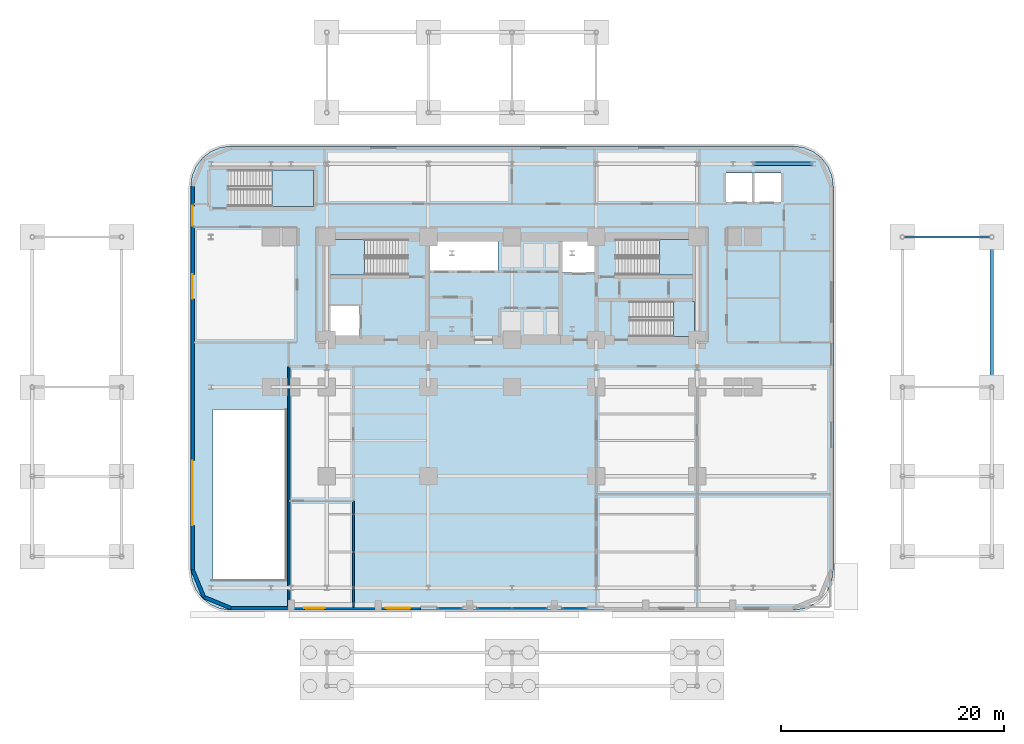
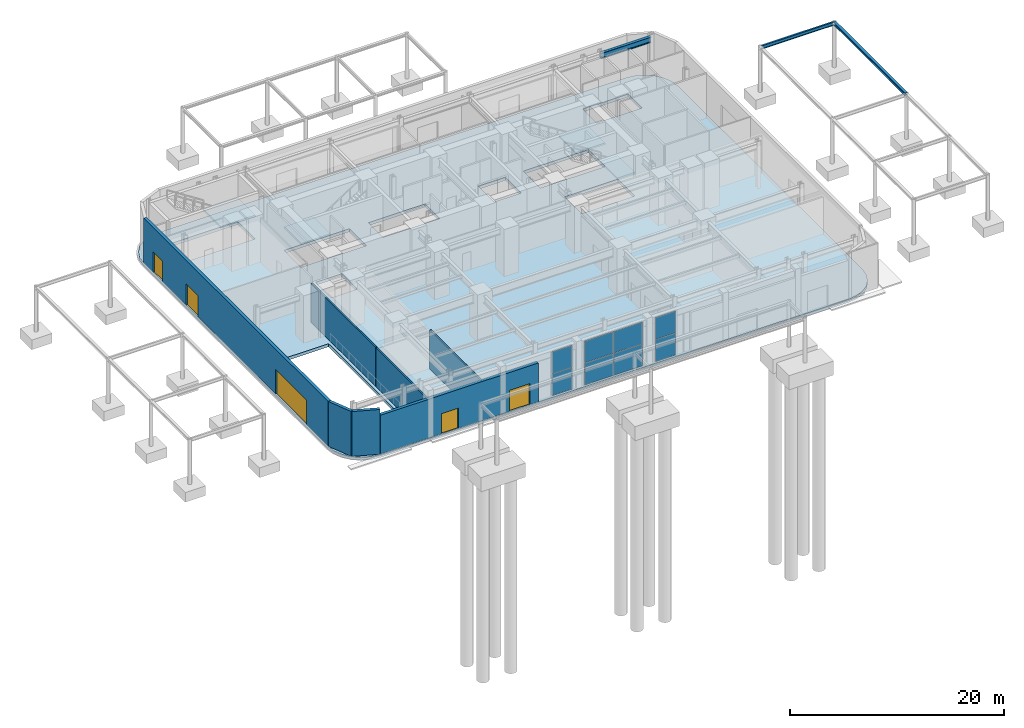
# One storey, part 11 of 21: 8 plates, 7 walls, 5 doors, 5 slabs, 3 beams, 5 openings, 7 elements without a shape of their own.
"""IFC4 building model written with IfcOpenShell, lengths in metres."""

from ifc_helpers import new_model, si_unit, direction, frame, frame_2d, origin, origin_2d, place, context, subcontext, project, spatial, polyline, rectangle, i_section, outline, extrude, material, layer, layer_set, material_profile, profile_set, type_object, element, fill, aggregate, save


model = new_model("IFC4")

# Units and contexts
model_context = context("Model", 3, precision=1e-05, world=origin(), true_north=direction((0.0, 1.0)))
body_context = subcontext(model_context, "Body", "Model", "MODEL_VIEW")
ifc_project = project(units=[si_unit("LENGTHUNIT", "METRE"), si_unit("AREAUNIT", "SQUARE_METRE"), si_unit("VOLUMEUNIT", "CUBIC_METRE"), si_unit("PLANEANGLEUNIT", "RADIAN"), si_unit("MASSUNIT", "GRAM", prefix="KILO")], contexts=[model_context])

# Site, building, storey
site_placement = place(None, origin())
site = spatial("IfcSite", under=ifc_project, at=site_placement, CompositionType="ELEMENT")
building_placement = place(site_placement, origin())
building = spatial("IfcBuilding", under=site, at=building_placement, Name="Zarnavel Station Tower", CompositionType="ELEMENT")
storey_placement = place(building_placement, origin())
storey = spatial("IfcBuildingStorey", under=building, at=storey_placement, Name="L01", CompositionType="ELEMENT", Elevation=0.0)

# Beams
ifc_material_1 = material(Name="Steel S355J2", Category="steel")
ifc_material_profile_1 = material_profile(ifc_material_1, i_section(OverallWidth=0.300048828125, OverallDepth=0.320068359375, WebThickness=0.011474609375, FlangeThickness=0.0205078125, FilletRadius=0.027099609375, at=origin_2d()), Name="HEB320")
ifc_profile_set_1 = profile_set([ifc_material_profile_1], Name="Steel S355J2")
beam_type_1 = type_object("IfcBeamType", Name="EB_HEB320", PredefinedType="SPANDREL", material=ifc_profile_set_1)
beam_1_placement = place(storey_placement, frame((71.800048828125, 23.60009765625, 5.0), z_axis=(0.0, 1.0, 0.0), x_axis=(-1.0, 0.0, 0.0)))
element("IfcBeam", 1, at=beam_1_placement, inside=storey, type_object=beam_type_1, Name="East Forecourt Canopy Girder 2-03", PredefinedType="SPANDREL", context=body_context, shape_type="SweptSolid", body=[
    extrude(i_section(OverallWidth=0.300048828125, OverallDepth=0.320068359375, WebThickness=0.011474609375, FlangeThickness=0.0205078125, FilletRadius=0.027099609375, at=origin_2d()), origin(), (0.0, 0.0, 1.0), 13.449951171875),
])
ifc_material_2 = material(Name="Steel S355J2", Category="steel")
ifc_material_profile_2 = material_profile(ifc_material_2, i_section(OverallWidth=0.179931640625, OverallDepth=0.39990234375, WebThickness=0.008544921875, FlangeThickness=0.013427734375, FilletRadius=0.02099609375, at=origin_2d()), Name="IPE400")
ifc_profile_set_2 = profile_set([ifc_material_profile_2], Name="Steel S355J2")
beam_type_2 = type_object("IfcBeamType", Name="FB_IPE400", PredefinedType="BEAM", material=ifc_profile_set_2)
beam_2_placement = place(storey_placement, frame((63.945068359375, 37.050048828125, 4.9599609375), z_axis=(1.0, 0.0, 0.0), x_axis=(0.0, 1.0, 0.0)))
element("IfcBeam", 2, at=beam_2_placement, inside=storey, type_object=beam_type_2, Name="East Canopy Tie 04", PredefinedType="BEAM", context=body_context, shape_type="SweptSolid", body=[
    extrude(i_section(OverallWidth=0.179931640625, OverallDepth=0.39990234375, WebThickness=0.008544921875, FlangeThickness=0.013427734375, FilletRadius=0.02099609375, at=origin_2d()), origin(), (0.0, 0.0, 1.0), 7.7099609375),
])
ifc_material_3 = material(Name="Steel S355J2", Category="steel")
ifc_material_profile_3 = material_profile(ifc_material_3, i_section(OverallWidth=0.300048828125, OverallDepth=0.64990234375, WebThickness=0.01611328125, FlangeThickness=0.031005859375, FilletRadius=0.027099609375, at=origin_2d()), Name="HEB650")
ifc_profile_set_3 = profile_set([ifc_material_profile_3], Name="Steel S355J2")
beam_type_3 = type_object("IfcBeamType", Name="FG_HEB650", PredefinedType="USERDEFINED", material=ifc_profile_set_3)
beam_3_placement = place(storey_placement, frame((50.39990234375, 43.60009765625, 4.77490234375), z_axis=(1.0, 0.0, 0.0), x_axis=(0.0, 1.0, 0.0)))
element("IfcBeam", 3, at=beam_3_placement, inside=storey, type_object=beam_type_3, Name="L01 EW Frame Girder 3-10", ObjectType="GIRDER", PredefinedType="USERDEFINED", context=body_context, shape_type="SweptSolid", body=[
    extrude(i_section(OverallWidth=0.300048828125, OverallDepth=0.64990234375, WebThickness=0.01611328125, FlangeThickness=0.031005859375, FilletRadius=0.027099609375, at=origin_2d()), origin(), (0.0, 0.0, 1.0), 5.400146484375),
])

# Curtain wall, plates
ifc_material_4 = material(Name="Aluminium Dark Anodised and Solar-Control Glass", Category="aluminium")
ifc_layer_1 = layer(ifc_material_4, 0.179931640625)
ifc_layer_set_1 = layer_set([ifc_layer_1], Name="CWS1")
curtain_wall_type = type_object("IfcCurtainWallType", Name="CWS1", PredefinedType="NOTDEFINED", material=ifc_layer_set_1)
curtain_wall_1_placement = place(storey_placement, origin())
curtain_wall_1 = element("IfcCurtainWall", 4, at=curtain_wall_1_placement, inside=storey, type_object=curtain_wall_type, Name="L01 Curtain Wall CWS1-L01-S-S1", PredefinedType="NOTDEFINED")
ifc_material_5 = material(Name="Double Low-E Dark Solar-Control Glass", Category="glass")
ifc_layer_2 = layer(ifc_material_5, 0.035888671875)
ifc_layer_set_2 = layer_set([ifc_layer_2], Name="CWS1_PNL")
plate_type = type_object("IfcPlateType", Name="CWS1_PNL", PredefinedType="CURTAIN_PANEL", material=ifc_layer_set_2)
plate_1_placement = place(storey_placement, frame((23.22802734375, 3.780029296875, 0.06005859375), z_axis=(0.0, 0.0, 1.0), x_axis=(1.0, 0.0, 0.0)))
plate_1 = element("IfcPlate", 5, at=plate_1_placement, type_object=plate_type, Name="CW1 panel 1.1", PredefinedType="CURTAIN_PANEL", context=body_context, shape_type="SweptSolid", body=[
    extrude(rectangle(XDim=2.135986328125, YDim=0.028076171875, at=origin_2d()), origin(), (0.0, 0.0, 1.0), 2.4599609375),
])
plate_2_placement = place(storey_placement, frame((23.22802734375, 3.780029296875, 2.580078125), z_axis=(0.0, 0.0, 1.0), x_axis=(1.0, 0.0, 0.0)))
plate_2 = element("IfcPlate", 6, at=plate_2_placement, type_object=plate_type, Name="CW1 panel 1.2", PredefinedType="CURTAIN_PANEL", context=body_context, shape_type="SweptSolid", body=[
    extrude(rectangle(XDim=2.135986328125, YDim=0.028076171875, at=origin_2d()), origin(), (0.0, 0.0, 1.0), 2.4599609375),
])
aggregate(curtain_wall_1, [plate_1, plate_2])

curtain_wall_2_placement = place(storey_placement, origin())
curtain_wall_2 = element("IfcCurtainWall", 7, at=curtain_wall_2_placement, inside=storey, type_object=curtain_wall_type, Name="L01 Curtain Wall CWS1-L01-S-S2", PredefinedType="NOTDEFINED")
plate_3_placement = place(storey_placement, frame((27.237060546875, 3.780029296875, 0.06005859375), z_axis=(0.0, 0.0, 1.0), x_axis=(1.0, 0.0, 0.0)))
plate_3 = element("IfcPlate", 8, at=plate_3_placement, type_object=plate_type, Name="CW1 panel 1.1", PredefinedType="CURTAIN_PANEL", context=body_context, shape_type="SweptSolid", body=[
    extrude(rectangle(XDim=3.06591796875, YDim=0.028076171875, at=origin_2d()), origin(), (0.0, 0.0, 1.0), 2.4599609375),
])
plate_4_placement = place(storey_placement, frame((27.237060546875, 3.780029296875, 2.580078125), z_axis=(0.0, 0.0, 1.0), x_axis=(1.0, 0.0, 0.0)))
plate_4 = element("IfcPlate", 9, at=plate_4_placement, type_object=plate_type, Name="CW1 panel 1.2", PredefinedType="CURTAIN_PANEL", context=body_context, shape_type="SweptSolid", body=[
    extrude(rectangle(XDim=3.06591796875, YDim=0.028076171875, at=origin_2d()), origin(), (0.0, 0.0, 1.0), 2.4599609375),
])
plate_5_placement = place(storey_placement, frame((30.363037109375, 3.780029296875, 0.06005859375), z_axis=(0.0, 0.0, 1.0), x_axis=(1.0, 0.0, 0.0)))
plate_5 = element("IfcPlate", 10, at=plate_5_placement, type_object=plate_type, Name="CW1 panel 2.1", PredefinedType="CURTAIN_PANEL", context=body_context, shape_type="SweptSolid", body=[
    extrude(rectangle(XDim=3.06591796875, YDim=0.028076171875, at=origin_2d()), origin(), (0.0, 0.0, 1.0), 2.4599609375),
])
plate_6_placement = place(storey_placement, frame((30.363037109375, 3.780029296875, 2.580078125), z_axis=(0.0, 0.0, 1.0), x_axis=(1.0, 0.0, 0.0)))
plate_6 = element("IfcPlate", 11, at=plate_6_placement, type_object=plate_type, Name="CW1 panel 2.2", PredefinedType="CURTAIN_PANEL", context=body_context, shape_type="SweptSolid", body=[
    extrude(rectangle(XDim=3.06591796875, YDim=0.028076171875, at=origin_2d()), origin(), (0.0, 0.0, 1.0), 2.4599609375),
])
aggregate(curtain_wall_2, [plate_3, plate_4, plate_5, plate_6])

curtain_wall_3_placement = place(storey_placement, origin())
curtain_wall_3 = element("IfcCurtainWall", 12, at=curtain_wall_3_placement, inside=storey, type_object=curtain_wall_type, Name="L01 Curtain Wall CWS1-L01-S-S3", PredefinedType="NOTDEFINED")
plate_7_placement = place(storey_placement, frame((34.39697265625, 3.780029296875, 0.06005859375), z_axis=(0.0, 0.0, 1.0), x_axis=(1.0, 0.0, 0.0)))
plate_7 = element("IfcPlate", 13, at=plate_7_placement, type_object=plate_type, Name="CW1 panel 1.1", PredefinedType="CURTAIN_PANEL", context=body_context, shape_type="SweptSolid", body=[
    extrude(rectangle(XDim=2.18603515625, YDim=0.028076171875, at=origin_2d()), origin(), (0.0, 0.0, 1.0), 2.4599609375),
])
plate_8_placement = place(storey_placement, frame((34.39697265625, 3.780029296875, 2.580078125), z_axis=(0.0, 0.0, 1.0), x_axis=(1.0, 0.0, 0.0)))
plate_8 = element("IfcPlate", 14, at=plate_8_placement, type_object=plate_type, Name="CW1 panel 1.2", PredefinedType="CURTAIN_PANEL", context=body_context, shape_type="SweptSolid", body=[
    extrude(rectangle(XDim=2.18603515625, YDim=0.028076171875, at=origin_2d()), origin(), (0.0, 0.0, 1.0), 2.4599609375),
])
aggregate(curtain_wall_3, [plate_7, plate_8])

# Slab
ifc_material_6 = material(Name="Concrete C45/55", Category="concrete")
ifc_layer_3 = layer(ifc_material_6, 0.35009765625)
ifc_layer_set_3 = layer_set([ifc_layer_3], Name="SL_FLR_350")
slab_type_1 = type_object("IfcSlabType", Name="SL_FLR_350", PredefinedType="FLOOR", material=ifc_layer_set_3)
slab_1_placement = place(storey_placement, frame((0.0, 0.0, -0.35009765625)))
element("IfcSlab", 15, at=slab_1_placement, inside=storey, type_object=slab_type_1, Name="L01 Structural Floor Slab", PredefinedType="FLOOR", context=body_context, shape_type="SweptSolid", body=[
    extrude(outline(polyline([(54.0, 3.60009765625), (54.931640625, 3.72265625), (55.800048828125, 4.082275390625), (56.545654296875, 4.654296875), (57.11767578125, 5.39990234375), (57.477294921875, 6.268310546875), (57.60009765625, 7.199951171875), (57.60009765625, 41.60009765625), (57.477294921875, 42.53173828125), (57.11767578125, 43.39990234375), (56.545654296875, 44.1455078125), (55.800048828125, 44.7177734375), (54.931640625, 45.077392578125), (54.0, 45.199951171875), (3.60009765625, 45.199951171875), (2.668212890625, 45.077392578125), (1.800048828125, 44.7177734375), (1.054443359375, 44.1455078125), (0.482421875, 43.39990234375), (0.122802734375, 42.53173828125), (0.0, 41.60009765625), (0.0, 7.199951171875), (0.122802734375, 6.268310546875), (0.482421875, 5.39990234375), (1.054443359375, 4.654296875), (1.800048828125, 4.082275390625), (2.668212890625, 3.72265625), (3.60009765625, 3.60009765625), (54.0, 3.60009765625)]), holes=[polyline([(12.39990234375, 33.659912109375), (19.409912109375, 33.659912109375), (19.409912109375, 36.820068359375), (12.39990234375, 36.820068359375), (12.39990234375, 33.659912109375)]), polyline([(38.14990234375, 33.659912109375), (45.159912109375, 33.659912109375), (45.159912109375, 36.820068359375), (38.14990234375, 36.820068359375), (38.14990234375, 33.659912109375)]), polyline([(39.419921875, 28.1201171875), (45.14990234375, 28.1201171875), (45.14990234375, 31.280029296875), (39.419921875, 31.280029296875), (39.419921875, 28.1201171875)]), polyline([(3.419921875, 39.800048828125), (11.0, 39.800048828125), (11.0, 43.06005859375), (3.419921875, 43.06005859375), (3.419921875, 39.800048828125)]), polyline([(12.35009765625, 27.949951171875), (15.14990234375, 27.949951171875), (15.14990234375, 30.85009765625), (12.35009765625, 30.85009765625), (12.35009765625, 27.949951171875)]), polyline([(33.320068359375, 33.85009765625), (36.2099609375, 33.85009765625), (36.2099609375, 36.780029296875), (33.320068359375, 36.780029296875), (33.320068359375, 33.85009765625)]), polyline([(21.449951171875, 34.050048828125), (27.550048828125, 34.050048828125), (27.550048828125, 36.780029296875), (21.449951171875, 36.780029296875), (21.449951171875, 34.050048828125)]), polyline([(48.0, 40.199951171875), (52.89990234375, 40.199951171875), (52.89990234375, 42.800048828125), (48.0, 42.800048828125), (48.0, 40.199951171875)]), polyline([(2.0, 6.39990234375), (8.39990234375, 6.39990234375), (8.39990234375, 21.60009765625), (2.0, 21.60009765625), (2.0, 6.39990234375)])]), origin(), (0.0, 0.0, 1.0), 0.35009765625),
])

# Stair, slab
ifc_material_7 = material(Name="Concrete C45/55", Category="concrete")
stair_type_1 = type_object("IfcStairType", Name="ST_CORE_150", PredefinedType="HALF_TURN_STAIR", material=ifc_material_7)
stair_1_placement = place(storey_placement, origin())
stair_1 = element("IfcStair", 16, at=stair_1_placement, inside=storey, type_object=stair_type_1, Name="L01 Core Exit Stair ST1", PredefinedType="HALF_TURN_STAIR")
ifc_material_8 = material(Name="Concrete C45/55", Category="concrete")
ifc_layer_4 = layer(ifc_material_8, 0.199951171875)
ifc_layer_set_4 = layer_set([ifc_layer_4], Name="SL_STAIR_LAND_200")
slab_type_2 = type_object("IfcSlabType", Name="SL_STAIR_LAND_200", PredefinedType="LANDING", material=ifc_layer_set_4)
slab_2_placement = place(storey_placement, frame((0.0, 0.0, 2.5)))
slab_2 = element("IfcSlab", 17, at=slab_2_placement, type_object=slab_type_2, Name="ST1 landing 1", PredefinedType="LANDING", context=body_context, shape_type="SweptSolid", body=[
    extrude(outline(polyline([(15.56005859375, 36.820068359375), (12.39990234375, 36.820068359375), (12.39990234375, 33.659912109375), (15.56005859375, 33.659912109375), (15.56005859375, 36.820068359375)])), origin(), (0.0, 0.0, 1.0), 0.199951171875),
])
aggregate(stair_1, [slab_2])

stair_2_placement = place(storey_placement, origin())
stair_2 = element("IfcStair", 18, at=stair_2_placement, inside=storey, type_object=stair_type_1, Name="L01 Core Exit Stair ST2", PredefinedType="HALF_TURN_STAIR")
slab_3_placement = place(storey_placement, frame((0.0, 0.0, 2.5)))
slab_3 = element("IfcSlab", 19, at=slab_3_placement, type_object=slab_type_2, Name="ST2 landing 1", PredefinedType="LANDING", context=body_context, shape_type="SweptSolid", body=[
    extrude(outline(polyline([(42.0, 33.659912109375), (45.159912109375, 33.659912109375), (45.159912109375, 36.820068359375), (42.0, 36.820068359375), (42.0, 33.659912109375)])), origin(), (0.0, 0.0, 1.0), 0.199951171875),
])
aggregate(stair_2, [slab_3])

stair_3_placement = place(storey_placement, origin())
stair_3 = element("IfcStair", 20, at=stair_3_placement, inside=storey, type_object=stair_type_1, Name="L01 Core Exit Stair ST3", PredefinedType="HALF_TURN_STAIR")
slab_4_placement = place(storey_placement, frame((0.0, 0.0, 2.5)))
slab_4 = element("IfcSlab", 21, at=slab_4_placement, type_object=slab_type_2, Name="ST3 landing 1", PredefinedType="LANDING", context=body_context, shape_type="SweptSolid", body=[
    extrude(outline(polyline([(43.27001953125, 28.1201171875), (45.14990234375, 28.1201171875), (45.14990234375, 31.280029296875), (43.27001953125, 31.280029296875), (43.27001953125, 28.1201171875)])), origin(), (0.0, 0.0, 1.0), 0.199951171875),
])
aggregate(stair_3, [slab_4])

ifc_material_9 = material(Name="Concrete C45/55", Category="concrete")
stair_type_2 = type_object("IfcStairType", Name="ST_POD_155", PredefinedType="HALF_TURN_STAIR", material=ifc_material_9)
stair_4_placement = place(storey_placement, origin())
stair_4 = element("IfcStair", 22, at=stair_4_placement, inside=storey, type_object=stair_type_2, Name="L01 Core Exit Stair ST4", PredefinedType="HALF_TURN_STAIR")
slab_5_placement = place(storey_placement, frame((0.0, 0.0, 2.5)))
slab_5 = element("IfcSlab", 23, at=slab_5_placement, type_object=slab_type_2, Name="ST4 landing 1", PredefinedType="LANDING", context=body_context, shape_type="SweptSolid", body=[
    extrude(outline(polyline([(7.27001953125, 39.800048828125), (11.0, 39.800048828125), (11.0, 43.06005859375), (7.27001953125, 43.06005859375), (7.27001953125, 39.800048828125)])), origin(), (0.0, 0.0, 1.0), 0.199951171875),
])
aggregate(stair_4, [slab_5])

# Wall, openings, doors
ifc_material_10 = material(Name="Precast concrete C45/55 (Podium Basalt Frame)", Category="masonry")
ifc_layer_5 = layer(ifc_material_10, 0.320068359375)
ifc_layer_set_5 = layer_set([ifc_layer_5], Name="EW_BASALT_320")
wall_type_1 = type_object("IfcWallType", Name="EW_BASALT_320", PredefinedType="SOLIDWALL", material=ifc_layer_set_5)
wall_1_placement = place(storey_placement, frame((0.179931640625, 7.199951171875, 0.0), z_axis=(0.0, 0.0, 1.0), x_axis=(0.0, 1.0, 0.0)))
wall_1 = element("IfcWall", 24, at=wall_1_placement, inside=storey, type_object=wall_type_1, Name="L01 Exterior Basalt Masonry Frame Wall 09", PredefinedType="SOLIDWALL", context=body_context, shape_type="SweptSolid", body=[
    extrude(rectangle(XDim=34.400146484375, YDim=0.320068359375, at=frame_2d((17.2001953125, 0.0))), origin(), (0.0, 0.0, 1.0), 5.10009765625),
])
opening_1_placement = place(wall_1_placement, frame((4.0, 0.0, 0.0)))
opening_1 = element("IfcOpeningElement", 25, at=opening_1_placement, cuts=wall_1, Name="Opening VD01", PredefinedType="OPENING", context=body_context, shape_type="SweptSolid", body=[
    extrude(rectangle(XDim=5.800048828125, YDim=2.800048828125, at=frame_2d((2.89990234375, 1.39990234375))), frame((0.0, 0.169921875, 0.0), z_axis=(0.0, -1.0, 0.0), x_axis=(1.0, 0.0, 0.0)), (0.0, 0.0, 1.0), 0.340087890625),
])
opening_2_placement = place(wall_1_placement, frame((30.85009765625, 0.0, 0.0)))
opening_2 = element("IfcOpeningElement", 26, at=opening_2_placement, cuts=wall_1, Name="Opening ED02", PredefinedType="OPENING", context=body_context, shape_type="SweptSolid", body=[
    extrude(rectangle(XDim=1.800048828125, YDim=2.300048828125, at=frame_2d((0.89990234375, 1.14990234375))), frame((0.0, 0.169921875, 0.0), z_axis=(0.0, -1.0, 0.0), x_axis=(1.0, 0.0, 0.0)), (0.0, 0.0, 1.0), 0.340087890625),
])
opening_3_placement = place(wall_1_placement, frame((24.300048828125, 0.0, 0.0)))
opening_3 = element("IfcOpeningElement", 27, at=opening_3_placement, cuts=wall_1, Name="Opening ED01", PredefinedType="OPENING", context=body_context, shape_type="SweptSolid", body=[
    extrude(rectangle(XDim=2.199951171875, YDim=2.39990234375, at=frame_2d((1.10009765625, 1.199951171875))), frame((0.0, 0.169921875, 0.0), z_axis=(0.0, -1.0, 0.0), x_axis=(1.0, 0.0, 0.0)), (0.0, 0.0, 1.0), 0.340087890625),
])
ifc_material_11 = material(Name="Thermally Broken Black Aluminium and Laminated Safety Glass", Category="aluminium")
door_type_1 = type_object("IfcDoorType", Name="ED_EXIT_2200", OperationType="DOUBLE_DOOR_SINGLE_SWING", PredefinedType="DOOR", material=ifc_material_11)
door_1_placement = place(opening_3_placement, origin())
door_1 = element("IfcDoor", 28, at=door_1_placement, inside=storey, type_object=door_type_1, Name="L01 West Gallery Entrance Door", OperationType="SINGLE_SWING_LEFT", OverallHeight=2.39990234375, OverallWidth=2.199951171875, PredefinedType="DOOR", context=body_context, shape_type="SweptSolid", body=[
    extrude(rectangle(XDim=2.199951171875, YDim=2.39990234375, at=frame_2d((1.10009765625, 1.199951171875))), frame((0.0, 0.02490234375, 0.0), z_axis=(0.0, -1.0, 0.0), x_axis=(1.0, 0.0, 0.0)), (0.0, 0.0, 1.0), 0.050048828125),
])
fill(opening_3, door_1)
ifc_material_12 = material(Name="Thermally Broken Black Aluminium and Laminated Safety Glass", Category="aluminium")
door_type_2 = type_object("IfcDoorType", Name="ED_SHOP_1800", OperationType="DOUBLE_DOOR_SINGLE_SWING", PredefinedType="DOOR", material=ifc_material_12)
door_2_placement = place(opening_2_placement, origin())
door_2 = element("IfcDoor", 29, at=door_2_placement, inside=storey, type_object=door_type_2, Name="L01 West Protected Corridor Final Exit Door", OperationType="SINGLE_SWING_LEFT", OverallHeight=2.300048828125, OverallWidth=1.800048828125, PredefinedType="DOOR", context=body_context, shape_type="SweptSolid", body=[
    extrude(rectangle(XDim=1.800048828125, YDim=2.300048828125, at=frame_2d((0.89990234375, 1.14990234375))), frame((0.0, 0.02490234375, 0.0), z_axis=(0.0, -1.0, 0.0), x_axis=(1.0, 0.0, 0.0)), (0.0, 0.0, 1.0), 0.050048828125),
])
fill(opening_2, door_2)
ifc_material_13 = material(Name="Thermally Broken Black Aluminium and Laminated Safety Glass", Category="aluminium")
door_type_3 = type_object("IfcDoorType", Name="VD_RAMP_5800", OperationType="ROLLINGUP", PredefinedType="GATE", material=ifc_material_13)
door_3_placement = place(opening_1_placement, origin())
door_3 = element("IfcDoor", 30, at=door_3_placement, inside=storey, type_object=door_type_3, Name="L01 Basement Car-Park Ramp Roller Gate", OperationType="ROLLINGUP", OverallHeight=2.800048828125, OverallWidth=5.800048828125, PredefinedType="GATE", context=body_context, shape_type="SweptSolid", body=[
    extrude(rectangle(XDim=5.800048828125, YDim=2.800048828125, at=frame_2d((2.89990234375, 1.39990234375))), frame((0.0, 0.02490234375, 0.0), z_axis=(0.0, -1.0, 0.0), x_axis=(1.0, 0.0, 0.0)), (0.0, 0.0, 1.0), 0.050048828125),
])
fill(opening_1, door_3)

# Walls
wall_2_placement = place(storey_placement, frame((1.181640625, 4.78173828125, 0.0), z_axis=(0.0, 0.0, 1.0), x_axis=(-0.382700522567, 0.923872453333, 0.0)))
element("IfcWall", 31, at=wall_2_placement, inside=storey, type_object=wall_type_1, Name="L01 Exterior Basalt Masonry Frame Wall 10", PredefinedType="SOLIDWALL", context=body_context, shape_type="SweptSolid", body=[
    extrude(rectangle(XDim=2.617431640625, YDim=0.320068359375, at=frame_2d((1.30859375, 0.0))), origin(), (0.0, 0.0, 1.0), 5.10009765625),
])
wall_3_placement = place(storey_placement, frame((3.60009765625, 3.780029296875, 0.0), z_axis=(0.0, 0.0, 1.0), x_axis=(-0.923886112352, 0.382667546838, 0.0)))
element("IfcWall", 32, at=wall_3_placement, inside=storey, type_object=wall_type_1, Name="L01 Exterior Basalt Masonry Frame Wall 11", PredefinedType="SOLIDWALL", context=body_context, shape_type="SweptSolid", body=[
    extrude(rectangle(XDim=2.61767578125, YDim=0.320068359375, at=frame_2d((1.308837890625, 0.0))), origin(), (0.0, 0.0, 1.0), 5.10009765625),
])

# Wall, openings, doors
wall_4_placement = place(storey_placement, frame((20.60009765625, 3.780029296875, 0.0), z_axis=(0.0, 0.0, 1.0), x_axis=(-1.0, 0.0, 0.0)))
wall_4 = element("IfcWall", 33, at=wall_4_placement, inside=storey, type_object=wall_type_1, Name="L01 South West Masonry Facade Wall", PredefinedType="SOLIDWALL", context=body_context, shape_type="SweptSolid", body=[
    extrude(rectangle(XDim=17.0, YDim=0.320068359375, at=frame_2d((8.5, 0.0))), origin(), (0.0, 0.0, 1.0), 4.429931640625),
])
opening_4_placement = place(wall_4_placement, frame((0.89990234375, 0.0, 0.0)))
opening_4 = element("IfcOpeningElement", 34, at=opening_4_placement, cuts=wall_4, Name="Opening ED01", PredefinedType="OPENING", context=body_context, shape_type="SweptSolid", body=[
    extrude(rectangle(XDim=2.199951171875, YDim=2.39990234375, at=frame_2d((1.10009765625, 1.199951171875))), frame((0.0, 0.169921875, 0.0), z_axis=(0.0, -1.0, 0.0), x_axis=(1.0, 0.0, 0.0)), (0.0, 0.0, 1.0), 0.340087890625),
])
opening_5_placement = place(wall_4_placement, frame((8.60009765625, 0.0, 0.0)))
opening_5 = element("IfcOpeningElement", 35, at=opening_5_placement, cuts=wall_4, Name="Opening ED02", PredefinedType="OPENING", context=body_context, shape_type="SweptSolid", body=[
    extrude(rectangle(XDim=1.800048828125, YDim=2.300048828125, at=frame_2d((0.89990234375, 1.14990234375))), frame((0.0, 0.169921875, 0.0), z_axis=(0.0, -1.0, 0.0), x_axis=(1.0, 0.0, 0.0)), (0.0, 0.0, 1.0), 0.340087890625),
])
door_4_placement = place(opening_4_placement, origin())
door_4 = element("IfcDoor", 36, at=door_4_placement, inside=storey, type_object=door_type_1, Name="L01 South Station Exit Door 1", OperationType="SINGLE_SWING_LEFT", OverallHeight=2.39990234375, OverallWidth=2.199951171875, PredefinedType="DOOR", context=body_context, shape_type="SweptSolid", body=[
    extrude(rectangle(XDim=2.199951171875, YDim=2.39990234375, at=frame_2d((1.10009765625, 1.199951171875))), frame((0.0, 0.02490234375, 0.0), z_axis=(0.0, -1.0, 0.0), x_axis=(1.0, 0.0, 0.0)), (0.0, 0.0, 1.0), 0.050048828125),
])
fill(opening_4, door_4)
door_5_placement = place(opening_5_placement, origin())
door_5 = element("IfcDoor", 37, at=door_5_placement, inside=storey, type_object=door_type_2, Name="L01 South Retail Street Entrance", OperationType="SINGLE_SWING_LEFT", OverallHeight=2.300048828125, OverallWidth=1.800048828125, PredefinedType="DOOR", context=body_context, shape_type="SweptSolid", body=[
    extrude(rectangle(XDim=1.800048828125, YDim=2.300048828125, at=frame_2d((0.89990234375, 1.14990234375))), frame((0.0, 0.02490234375, 0.0), z_axis=(0.0, -1.0, 0.0), x_axis=(1.0, 0.0, 0.0)), (0.0, 0.0, 1.0), 0.050048828125),
])
fill(opening_5, door_5)

# Walls
ifc_material_14 = material(Name="Gypsum Twin-Stud Acoustic Fire Partition", Category="concrete")
ifc_layer_6 = layer(ifc_material_14, 0.159912109375)
ifc_layer_set_6 = layer_set([ifc_layer_6], Name="PT_DEMISE_160")
wall_type_2 = type_object("IfcWallType", Name="PT_DEMISE_160", PredefinedType="PARTITIONING", material=ifc_layer_set_6)
wall_5_placement = place(storey_placement, frame((14.60009765625, 3.8798828125, 0.0), z_axis=(0.0, 0.0, 1.0), x_axis=(0.0, 1.0, 0.0)))
element("IfcWall", 38, at=wall_5_placement, inside=storey, type_object=wall_type_2, Name="L01 Partition CONC-SHP1", PredefinedType="PARTITIONING", context=body_context, shape_type="SweptSolid", body=[
    extrude(rectangle(XDim=9.480224609375, YDim=0.159912109375, at=frame_2d((4.740234375, 0.0))), origin(), (0.0, 0.0, 1.0), 4.429931640625),
])
wall_6_placement = place(storey_placement, frame((8.800048828125, 3.909912109375, 0.0), z_axis=(0.0, 0.0, 1.0), x_axis=(0.0, 1.0, 0.0)))
element("IfcWall", 39, at=wall_6_placement, inside=storey, type_object=wall_type_2, Name="L01 Enclosure Wall SHP1", PredefinedType="PARTITIONING", context=body_context, shape_type="SweptSolid", body=[
    extrude(rectangle(XDim=9.460205078125, YDim=0.159912109375, at=frame_2d((4.72998046875, 0.0))), origin(), (0.0, 0.0, 1.0), 4.429931640625),
])
wall_7_placement = place(storey_placement, frame((8.800048828125, 13.429931640625, 0.0), z_axis=(0.0, 0.0, 1.0), x_axis=(0.0, 1.0, 0.0)))
element("IfcWall", 40, at=wall_7_placement, inside=storey, type_object=wall_type_2, Name="L01 Enclosure Wall SHP2", PredefinedType="PARTITIONING", context=body_context, shape_type="SweptSolid", body=[
    extrude(rectangle(XDim=11.989990234375, YDim=0.159912109375, at=frame_2d((5.9951171875, 0.0))), origin(), (0.0, 0.0, 1.0), 4.429931640625),
])

save(model, "model.ifc")
